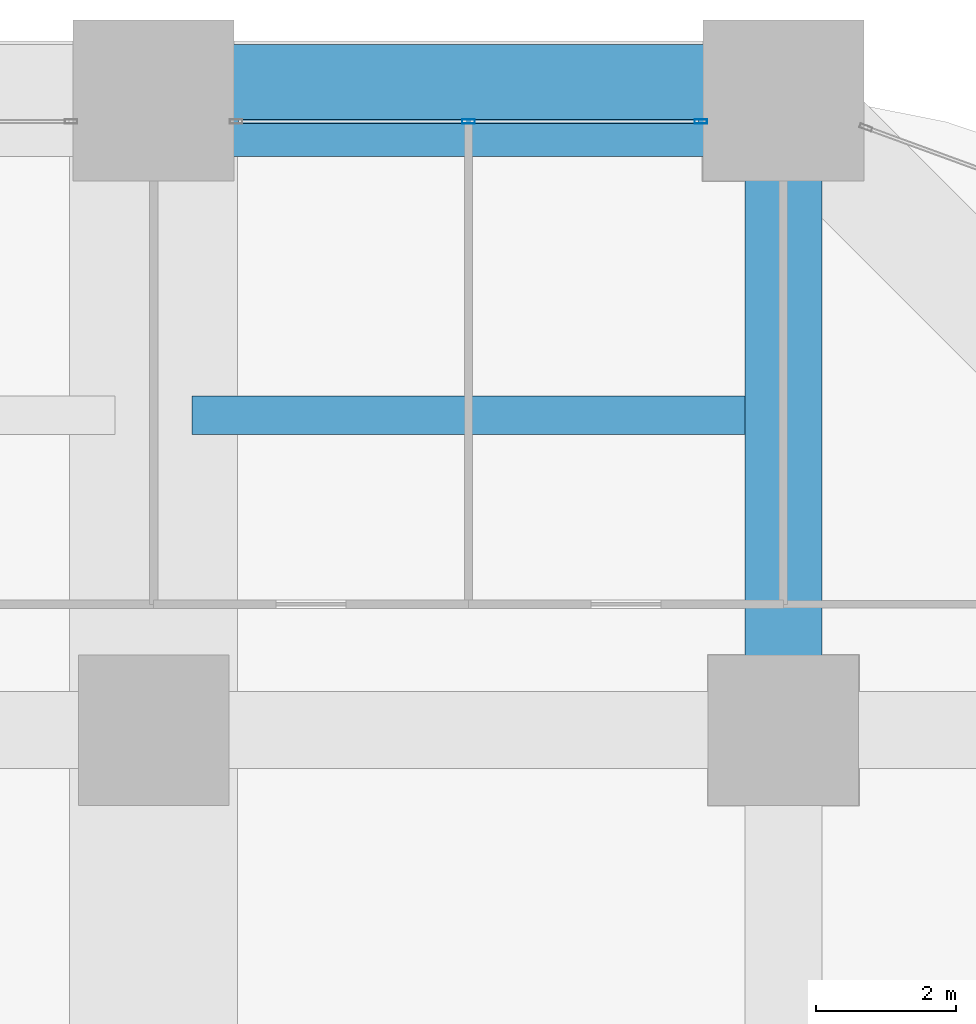
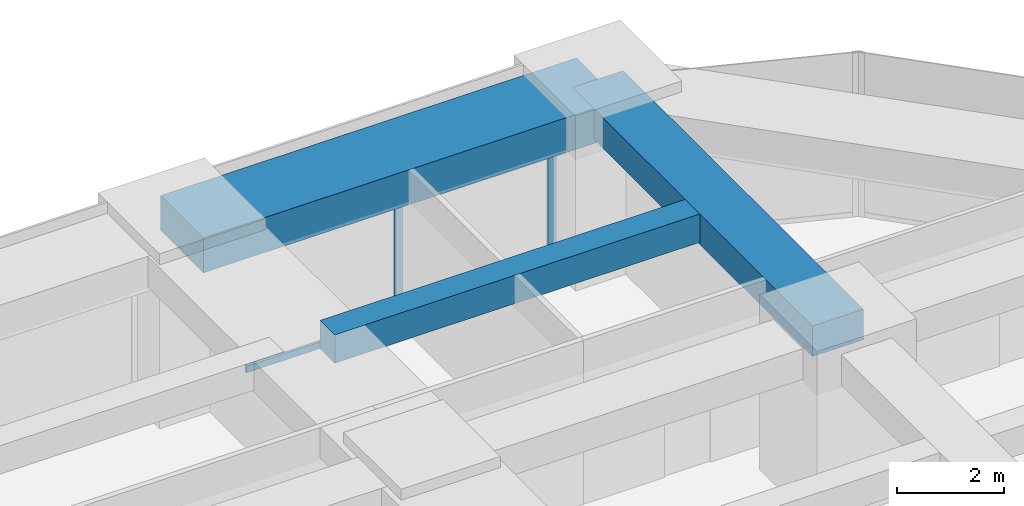
# One storey, part 36 of 44: 3 beams, 3 members, 1 element without a shape of its own.
"""IFC4 building model written with IfcOpenShell, lengths in metres."""

from ifc_helpers import new_model, si_unit, direction, frame, origin, origin_2d, place, context, subcontext, project, spatial, rectangle, hollow_rectangle, extrude, material, material_profile, profile_set, type_object, element, aggregate, save


model = new_model("IFC4")

# Units and contexts
model_context = context("Model", 3, precision=1e-05, world=origin(), true_north=direction((0.0, 1.0)))
body_context = subcontext(model_context, "Body", "Model", "MODEL_VIEW")
ifc_project = project(units=[si_unit("LENGTHUNIT", "METRE"), si_unit("AREAUNIT", "SQUARE_METRE"), si_unit("VOLUMEUNIT", "CUBIC_METRE"), si_unit("PLANEANGLEUNIT", "RADIAN"), si_unit("MASSUNIT", "GRAM", prefix="KILO")], contexts=[model_context])

# Site, building, storey
site_placement = place(None, origin())
site = spatial("IfcSite", under=ifc_project, at=site_placement, CompositionType="ELEMENT")
building_placement = place(site_placement, origin())
building = spatial("IfcBuilding", under=site, at=building_placement, Name="Zorevar Civic Tower", CompositionType="ELEMENT")
storey_placement = place(building_placement, frame((0.0, 0.0, 63.800048828125)))
storey = spatial("IfcBuildingStorey", under=building, at=storey_placement, Name="L15", CompositionType="ELEMENT", Elevation=63.800048828125)

# Beams
ifc_material_1 = material(Name="Concrete C50/60", Category="concrete")
ifc_material_profile_1 = material_profile(ifc_material_1, rectangle(XDim=1.10009765625, YDim=0.699951171875, at=origin_2d()), Name="RC 1100x700")
ifc_profile_set_1 = profile_set([ifc_material_profile_1], Name="Concrete C50/60")
beam_type_1 = type_object("IfcBeamType", Name="Beam RC 1100x700", PredefinedType="BEAM", material=ifc_profile_set_1)
beam_1_placement = place(storey_placement, frame((54.0, 45.0, 3.39990234375), z_axis=(0.0, 1.0, 0.0), x_axis=(-1.0, 0.0, 0.0)))
element("IfcBeam", 1, at=beam_1_placement, inside=storey, type_object=beam_type_1, Name="Girder L16", PredefinedType="BEAM", context=body_context, shape_type="SweptSolid", body=[
    extrude(rectangle(XDim=1.10009765625, YDim=0.699951171875, at=origin_2d()), origin(), (0.0, 0.0, 1.0), 9.0),
])
ifc_material_2 = material(Name="Concrete C50/60", Category="concrete")
ifc_material_profile_2 = material_profile(ifc_material_2, rectangle(XDim=0.550048828125, YDim=0.64990234375, at=origin_2d()), Name="RC 550x650")
ifc_profile_set_2 = profile_set([ifc_material_profile_2], Name="Concrete C50/60")
beam_type_2 = type_object("IfcBeamType", Name="Beam RC 550x650", PredefinedType="BEAM", material=ifc_profile_set_2)
beam_2_placement = place(storey_placement, frame((45.550048828125, 49.5, 3.425048828125), z_axis=(1.0, 0.0, 0.0), x_axis=(0.0, 1.0, 0.0)))
element("IfcBeam", 2, at=beam_2_placement, inside=storey, type_object=beam_type_2, Name="Secondary beam L16", PredefinedType="BEAM", context=body_context, shape_type="SweptSolid", body=[
    extrude(rectangle(XDim=0.550048828125, YDim=0.64990234375, at=origin_2d()), origin(), (0.0, 0.0, 1.0), 7.89990234375),
])

# Curtain wall, members
ifc_material_3 = material(Name="Dark grey solar-control glass in black aluminium frame", Category="aluminium")
curtain_wall_type = type_object("IfcCurtainWallType", Name="Curtain wall CW2 low zone", PredefinedType="NOTDEFINED", material=ifc_material_3)
curtain_wall_placement = place(storey_placement, origin())
curtain_wall = element("IfcCurtainWall", 3, at=curtain_wall_placement, inside=storey, type_object=curtain_wall_type, Name="CW2 L15", PredefinedType="NOTDEFINED")
ifc_material_4 = material(Name="Aluminium, black anodised", Category="aluminium")
ifc_material_profile_3 = material_profile(ifc_material_4, hollow_rectangle(XDim=0.06005859375, YDim=0.179931640625, WallThickness=0.00390625, at=origin_2d()), Name="AL 180x60x4")
ifc_profile_set_3 = profile_set([ifc_material_profile_3], Name="Aluminium, black anodised")
member_type_1 = type_object("IfcMemberType", Name="CW2 mullion AL 180x60x4", PredefinedType="MULLION", material=ifc_profile_set_3)
member_1_placement = place(storey_placement, frame((49.5, 53.699951171875, 0.06005859375), z_axis=(0.0, 0.0, 1.0), x_axis=(0.0, 1.0, 0.0)))
member_1 = element("IfcMember", 4, at=member_1_placement, type_object=member_type_1, Name="CW2 mullion 2", PredefinedType="MULLION", context=body_context, shape_type="SweptSolid", body=[
    extrude(hollow_rectangle(XDim=0.06005859375, YDim=0.179931640625, WallThickness=0.00390625, at=origin_2d()), origin(), (0.0, 0.0, 1.0), 2.889892578125),
])
member_2_placement = place(storey_placement, frame((52.820068359375, 53.699951171875, 0.0), z_axis=(0.0, 0.0, 1.0), x_axis=(0.0, 1.0, 0.0)))
member_2 = element("IfcMember", 5, at=member_2_placement, type_object=member_type_1, Name="CW2 mullion 3", PredefinedType="MULLION", context=body_context, shape_type="SweptSolid", body=[
    extrude(hollow_rectangle(XDim=0.06005859375, YDim=0.179931640625, WallThickness=0.00390625, at=origin_2d()), origin(), (0.0, 0.0, 1.0), 2.949951171875),
])
ifc_material_5 = material(Name="Aluminium, black anodised", Category="aluminium")
ifc_material_profile_4 = material_profile(ifc_material_5, hollow_rectangle(XDim=0.06005859375, YDim=0.14990234375, WallThickness=0.00390625, at=origin_2d()), Name="AL 150x60x4")
ifc_profile_set_4 = profile_set([ifc_material_profile_4], Name="Aluminium, black anodised")
member_type_2 = type_object("IfcMemberType", Name="CW2 transom AL 150x60x4", PredefinedType="USERDEFINED", material=ifc_profile_set_4)
member_3_placement = place(storey_placement, frame((46.2099609375, 53.699951171875, 0.030029296875), z_axis=(1.0, 0.0, 0.0), x_axis=(0.0, 1.0, 0.0)))
member_3 = element("IfcMember", 6, at=member_3_placement, type_object=member_type_2, Name="CW2 sill transom", ObjectType="TRANSOM", PredefinedType="USERDEFINED", context=body_context, shape_type="SweptSolid", body=[
    extrude(hollow_rectangle(XDim=0.06005859375, YDim=0.14990234375, WallThickness=0.00390625, at=origin_2d()), origin(), (0.0, 0.0, 1.0), 6.580078125),
])
aggregate(curtain_wall, [member_1, member_2, member_3])

# Beam
ifc_material_6 = material(Name="Concrete C50/60", Category="concrete")
ifc_material_profile_5 = material_profile(ifc_material_6, rectangle(XDim=1.60009765625, YDim=0.800048828125, at=origin_2d()), Name="RC 1600x800")
ifc_profile_set_5 = profile_set([ifc_material_profile_5], Name="Concrete C50/60")
beam_type_3 = type_object("IfcBeamType", Name="Edge beam RC 1600x800", PredefinedType="SPANDREL", material=ifc_profile_set_5)
beam_3_placement = place(storey_placement, frame((45.0, 54.0, 3.349853515625), z_axis=(1.0, 0.0, 0.0), x_axis=(0.0, 1.0, 0.0)))
element("IfcBeam", 7, at=beam_3_placement, inside=storey, type_object=beam_type_3, Name="Edge beam L16", PredefinedType="SPANDREL", context=body_context, shape_type="SweptSolid", body=[
    extrude(rectangle(XDim=1.60009765625, YDim=0.800048828125, at=origin_2d()), origin(), (0.0, 0.0, 1.0), 9.0),
])

save(model, "model.ifc")
